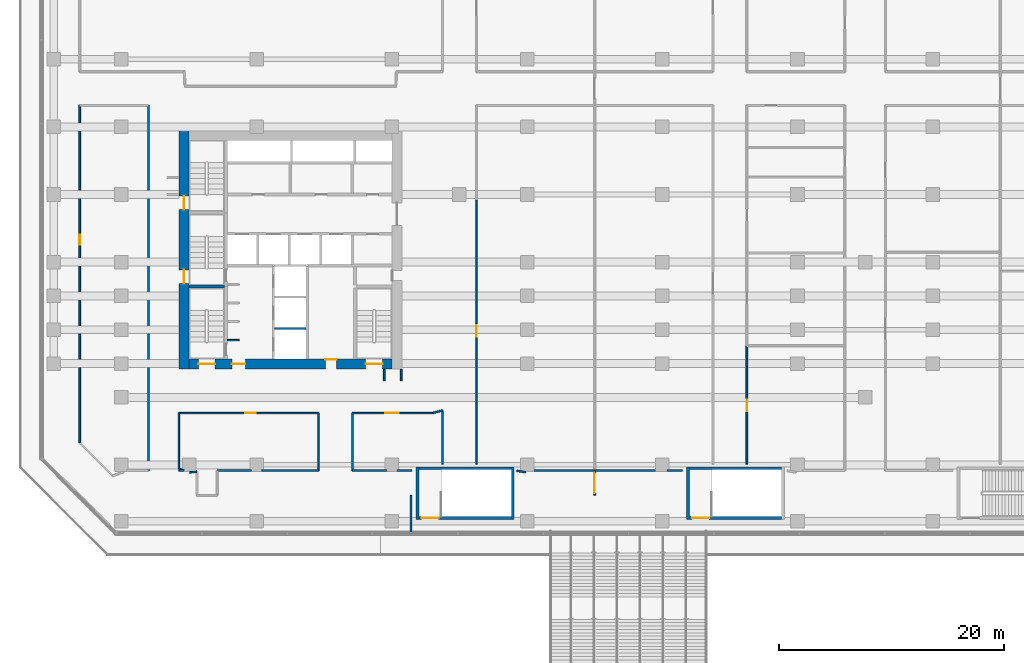
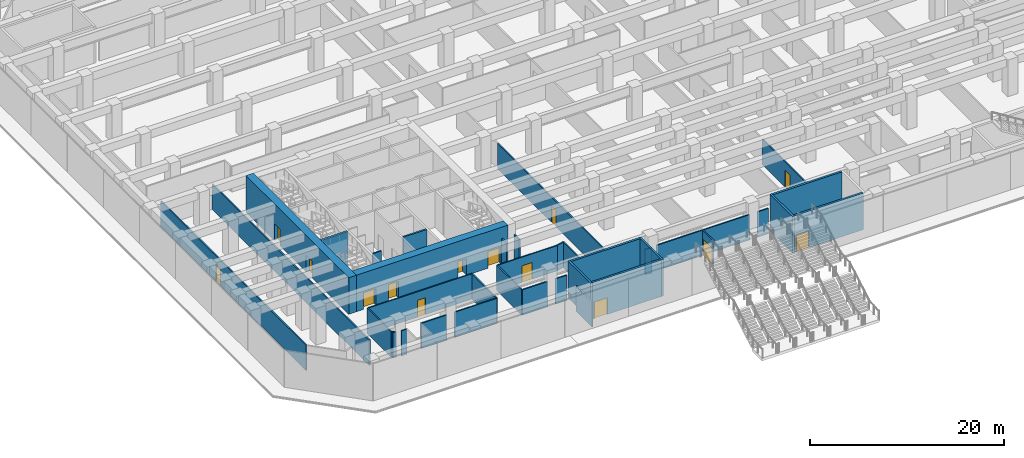
# One storey, part 27 of 40: 37 walls, 14 doors, 14 openings.
"""IFC4 building model written with IfcOpenShell, lengths in metres."""

from ifc_helpers import new_model, si_unit, direction, frame, frame_2d, origin, place, context, subcontext, project, spatial, rectangle, extrude, material, layer, layer_set, type_object, element, fill, save


model = new_model("IFC4")

# Units and contexts
model_context = context("Model", 3, precision=1e-05, world=origin(), true_north=direction((0.0, 1.0)))
body_context = subcontext(model_context, "Body", "Model", "MODEL_VIEW")
ifc_project = project(units=[si_unit("LENGTHUNIT", "METRE"), si_unit("AREAUNIT", "SQUARE_METRE"), si_unit("VOLUMEUNIT", "CUBIC_METRE"), si_unit("PLANEANGLEUNIT", "RADIAN"), si_unit("MASSUNIT", "GRAM", prefix="KILO")], contexts=[model_context])

# Site, building, storey
site_placement = place(None, origin())
site = spatial("IfcSite", under=ifc_project, at=site_placement, CompositionType="ELEMENT")
building_placement = place(site_placement, origin())
building = spatial("IfcBuilding", under=site, at=building_placement, Name="Welwitschia Terrace Campus", CompositionType="ELEMENT")
storey_placement = place(building_placement, frame((0.0, 0.0, 6.0)))
storey = spatial("IfcBuildingStorey", under=building, at=storey_placement, Name="L01", CompositionType="ELEMENT", Elevation=6.0)

# Walls
ifc_material_1 = material(Name="Concrete C50/60", Category="concrete")
ifc_layer_1 = layer(ifc_material_1, 0.14990234375)
ifc_layer_set_1 = layer_set([ifc_layer_1], Name="Concrete C50/60")
wall_type_1 = type_object("IfcWallType", Name="Core wall 150 Concrete C50/60", PredefinedType="SHEAR", material=ifc_layer_set_1)
wall_1_placement = place(storey_placement, frame((9.39990234375, 7.074951171875, 0.0), z_axis=(0.0, 0.0, 1.0), x_axis=(1.0, 0.0, 0.0)))
element("IfcWall", 1, at=wall_1_placement, inside=storey, type_object=wall_type_1, Name="Core wall", PredefinedType="SHEAR", context=body_context, shape_type="SweptSolid", body=[
    extrude(rectangle(XDim=1.050048828125, YDim=0.14990234375, at=frame_2d((0.52490234375, 0.0))), origin(), (0.0, 0.0, 1.0), 4.60009765625),
])
ifc_material_2 = material(Name="Concrete C50/60", Category="concrete")
ifc_layer_2 = layer(ifc_material_2, 0.199951171875)
ifc_layer_set_2 = layer_set([ifc_layer_2], Name="Concrete C50/60")
wall_type_2 = type_object("IfcWallType", Name="Core wall 200 Concrete C50/60", PredefinedType="SHEAR", material=ifc_layer_set_2)
wall_2_placement = place(storey_placement, frame((13.60009765625, 8.10009765625, 0.0), z_axis=(0.0, 0.0, 1.0), x_axis=(1.0, 0.0, 0.0)))
element("IfcWall", 2, at=wall_2_placement, inside=storey, type_object=wall_type_2, Name="Core wall", PredefinedType="SHEAR", context=body_context, shape_type="SweptSolid", body=[
    extrude(rectangle(XDim=2.7998046875, YDim=0.199951171875, at=frame_2d((1.39990234375, 0.0))), origin(), (0.0, 0.0, 1.0), 4.60009765625),
])
ifc_material_3 = material(Name="Concrete C50/60", Category="concrete")
ifc_layer_3 = layer(ifc_material_3, 0.25)
ifc_layer_set_3 = layer_set([ifc_layer_3], Name="Concrete C50/60")
wall_type_3 = type_object("IfcWallType", Name="Core wall 250 Concrete C50/60", PredefinedType="SHEAR", material=ifc_layer_set_3)
wall_3_placement = place(storey_placement, frame((6.0, 11.824951171875, 0.0), z_axis=(0.0, 0.0, 1.0), x_axis=(1.0, 0.0, 0.0)))
element("IfcWall", 3, at=wall_3_placement, inside=storey, type_object=wall_type_3, Name="Core wall", PredefinedType="SHEAR", context=body_context, shape_type="SweptSolid", body=[
    extrude(rectangle(XDim=3.14990234375, YDim=0.25, at=frame_2d((1.574951171875, 0.0))), origin(), (0.0, 0.0, 1.0), 4.60009765625),
])
for number, where, z_axis, x_axis, name in (
    (4, (26.27490234375, -8.824951171875, 0.0), (0.0, 0.0, 1.0), (0.0, 1.0, 0.0), "Core wall"),
    (5, (34.72509765625, -8.824951171875, 0.0), (0.0, 0.0, 1.0), (0.0, 1.0, 0.0), "Core wall"),
):
    element("IfcWall", number, at=place(storey_placement, frame(where, z_axis=z_axis, x_axis=x_axis)), inside=storey, type_object=wall_type_3, Name=name, PredefinedType="SHEAR", context=body_context, shape_type="SweptSolid", body=[
        extrude(rectangle(XDim=4.64990234375, YDim=0.25, at=frame_2d((2.324951171875, 0.0))), origin(), (0.0, 0.0, 1.0), 4.60009765625),
    ])

# Wall, opening, door
wall_4_placement = place(storey_placement, frame((34.60009765625, -8.699951171875, 0.0), z_axis=(0.0, 0.0, 1.0), x_axis=(-1.0, 0.0, 0.0)))
wall_4 = element("IfcWall", 6, at=wall_4_placement, inside=storey, type_object=wall_type_3, Name="Core wall", PredefinedType="SHEAR", context=body_context, shape_type="SweptSolid", body=[
    extrude(rectangle(XDim=8.2001953125, YDim=0.25, at=frame_2d((4.10009765625, 0.0))), origin(), (0.0, 0.0, 1.0), 4.60009765625),
])
opening_1_placement = place(wall_4_placement, frame((6.449951171875, 0.0, 0.0)))
opening_1 = element("IfcOpeningElement", 7, at=opening_1_placement, cuts=wall_4, Name="Opening DS15", PredefinedType="OPENING", context=body_context, shape_type="SweptSolid", body=[
    extrude(rectangle(XDim=1.5, YDim=2.10009765625, at=frame_2d((0.75, 1.050048828125))), frame((0.0, 0.135009765625, 0.0), z_axis=(0.0, -1.0, 0.0), x_axis=(1.0, 0.0, 0.0)), (0.0, 0.0, 1.0), 0.27001953125),
])
ifc_material_4 = material(Name="Steel S275", Category="steel")
door_type_1 = type_object("IfcDoorType", Name="Core door DS15", OperationType="DOUBLE_DOOR_SINGLE_SWING", PredefinedType="DOOR", material=ifc_material_4)
door_1_placement = place(opening_1_placement, origin())
door_1 = element("IfcDoor", 8, at=door_1_placement, inside=storey, type_object=door_type_1, Name="Door P1", OperationType="DOUBLE_DOOR_SINGLE_SWING", OverallHeight=2.10009765625, OverallWidth=1.5, PredefinedType="DOOR", context=body_context, shape_type="SweptSolid", body=[
    extrude(rectangle(XDim=1.5, YDim=2.10009765625, at=frame_2d((0.75, 1.050048828125))), frame((0.0, 0.02490234375, 0.0), z_axis=(0.0, -1.0, 0.0), x_axis=(1.0, 0.0, 0.0)), (0.0, 0.0, 1.0), 0.050048828125),
])
fill(opening_1, door_1)

# Walls
wall_5_placement = place(storey_placement, frame((26.39990234375, -4.300048828125, 0.0), z_axis=(0.0, 0.0, 1.0), x_axis=(1.0, 0.0, 0.0)))
element("IfcWall", 9, at=wall_5_placement, inside=storey, type_object=wall_type_3, Name="Core wall", PredefinedType="SHEAR", context=body_context, shape_type="SweptSolid", body=[
    extrude(rectangle(XDim=8.2001953125, YDim=0.25, at=frame_2d((4.10009765625, 0.0))), origin(), (0.0, 0.0, 1.0), 4.60009765625),
])
wall_6_placement = place(storey_placement, frame((50.27490234375, -8.824951171875, 0.0), z_axis=(0.0, 0.0, 1.0), x_axis=(0.0, 1.0, 0.0)))
element("IfcWall", 10, at=wall_6_placement, inside=storey, type_object=wall_type_3, Name="Core wall", PredefinedType="SHEAR", context=body_context, shape_type="SweptSolid", body=[
    extrude(rectangle(XDim=4.64990234375, YDim=0.25, at=frame_2d((2.324951171875, 0.0))), origin(), (0.0, 0.0, 1.0), 4.60009765625),
])

# Wall, opening, door
wall_7_placement = place(storey_placement, frame((58.60009765625, -8.699951171875, 0.0), z_axis=(0.0, 0.0, 1.0), x_axis=(-1.0, 0.0, 0.0)))
wall_7 = element("IfcWall", 11, at=wall_7_placement, inside=storey, type_object=wall_type_3, Name="Core wall", PredefinedType="SHEAR", context=body_context, shape_type="SweptSolid", body=[
    extrude(rectangle(XDim=8.2001953125, YDim=0.25, at=frame_2d((4.10009765625, 0.0))), origin(), (0.0, 0.0, 1.0), 4.60009765625),
])
opening_2_placement = place(wall_7_placement, frame((6.449951171875, 0.0, 0.0)))
opening_2 = element("IfcOpeningElement", 12, at=opening_2_placement, cuts=wall_7, Name="Opening DS15", PredefinedType="OPENING", context=body_context, shape_type="SweptSolid", body=[
    extrude(rectangle(XDim=1.5, YDim=2.10009765625, at=frame_2d((0.75, 1.050048828125))), frame((0.0, 0.135009765625, 0.0), z_axis=(0.0, -1.0, 0.0), x_axis=(1.0, 0.0, 0.0)), (0.0, 0.0, 1.0), 0.27001953125),
])
door_2_placement = place(opening_2_placement, origin())
door_2 = element("IfcDoor", 13, at=door_2_placement, inside=storey, type_object=door_type_1, Name="Door P2", OperationType="DOUBLE_DOOR_SINGLE_SWING", OverallHeight=2.10009765625, OverallWidth=1.5, PredefinedType="DOOR", context=body_context, shape_type="SweptSolid", body=[
    extrude(rectangle(XDim=1.5, YDim=2.10009765625, at=frame_2d((0.75, 1.050048828125))), frame((0.0, 0.02490234375, 0.0), z_axis=(0.0, -1.0, 0.0), x_axis=(1.0, 0.0, 0.0)), (0.0, 0.0, 1.0), 0.050048828125),
])
fill(opening_2, door_2)

# Wall
wall_8_placement = place(storey_placement, frame((50.39990234375, -4.300048828125, 0.0), z_axis=(0.0, 0.0, 1.0), x_axis=(1.0, 0.0, 0.0)))
element("IfcWall", 14, at=wall_8_placement, inside=storey, type_object=wall_type_3, Name="Core wall", PredefinedType="SHEAR", context=body_context, shape_type="SweptSolid", body=[
    extrude(rectangle(XDim=8.2001953125, YDim=0.25, at=frame_2d((4.10009765625, 0.0))), origin(), (0.0, 0.0, 1.0), 4.60009765625),
])

# Wall, openings, doors
ifc_material_5 = material(Name="Concrete C70/85", Category="concrete")
ifc_layer_4 = layer(ifc_material_5, 0.89990234375)
ifc_layer_set_4 = layer_set([ifc_layer_4], Name="Concrete C70/85")
wall_type_4 = type_object("IfcWallType", Name="Core wall 900 Concrete C70/85", PredefinedType="SHEAR", material=ifc_layer_set_4)
wall_9_placement = place(storey_placement, frame((5.550048828125, 4.5, 0.0), z_axis=(0.0, 0.0, 1.0), x_axis=(0.0, 1.0, 0.0)))
wall_9 = element("IfcWall", 15, at=wall_9_placement, inside=storey, type_object=wall_type_4, Name="Core outer wall", PredefinedType="SHEAR", context=body_context, shape_type="SweptSolid", body=[
    extrude(rectangle(XDim=21.199951171875, YDim=0.89990234375, at=frame_2d((10.60009765625, 0.0))), origin(), (0.0, 0.0, 1.0), 4.60009765625),
])
opening_3_placement = place(wall_9_placement, frame((7.60009765625, 0.0, 0.0)))
opening_3 = element("IfcOpeningElement", 16, at=opening_3_placement, cuts=wall_9, Name="Opening DS12", PredefinedType="OPENING", context=body_context, shape_type="SweptSolid", body=[
    extrude(rectangle(XDim=1.199951171875, YDim=2.10009765625, at=frame_2d((0.60009765625, 1.050048828125))), frame((0.0, 0.4599609375, 0.0), z_axis=(0.0, -1.0, 0.0), x_axis=(1.0, 0.0, 0.0)), (0.0, 0.0, 1.0), 0.919921875),
])
opening_4_placement = place(wall_9_placement, frame((14.14990234375, 0.0, 0.0)))
opening_4 = element("IfcOpeningElement", 17, at=opening_4_placement, cuts=wall_9, Name="Opening DS12", PredefinedType="OPENING", context=body_context, shape_type="SweptSolid", body=[
    extrude(rectangle(XDim=1.199951171875, YDim=2.10009765625, at=frame_2d((0.60009765625, 1.050048828125))), frame((0.0, 0.4599609375, 0.0), z_axis=(0.0, -1.0, 0.0), x_axis=(1.0, 0.0, 0.0)), (0.0, 0.0, 1.0), 0.919921875),
])
ifc_material_6 = material(Name="Steel S275", Category="steel")
door_type_2 = type_object("IfcDoorType", Name="Core door DS12", OperationType="SINGLE_SWING_LEFT", PredefinedType="DOOR", material=ifc_material_6)
door_3_placement = place(opening_3_placement, origin())
door_3 = element("IfcDoor", 18, at=door_3_placement, inside=storey, type_object=door_type_2, Name="Door S3-out", OperationType="SINGLE_SWING_LEFT", OverallHeight=2.10009765625, OverallWidth=1.199951171875, PredefinedType="DOOR", context=body_context, shape_type="SweptSolid", body=[
    extrude(rectangle(XDim=1.199951171875, YDim=2.10009765625, at=frame_2d((0.60009765625, 1.050048828125))), frame((0.0, 0.02490234375, 0.0), z_axis=(0.0, -1.0, 0.0), x_axis=(1.0, 0.0, 0.0)), (0.0, 0.0, 1.0), 0.050048828125),
])
fill(opening_3, door_3)
door_4_placement = place(opening_4_placement, origin())
door_4 = element("IfcDoor", 19, at=door_4_placement, inside=storey, type_object=door_type_2, Name="Door S4-out", OperationType="SINGLE_SWING_RIGHT", OverallHeight=2.10009765625, OverallWidth=1.199951171875, PredefinedType="DOOR", context=body_context, shape_type="SweptSolid", body=[
    extrude(rectangle(XDim=1.199951171875, YDim=2.10009765625, at=frame_2d((0.60009765625, 1.050048828125))), frame((0.0, 0.02490234375, 0.0), z_axis=(0.0, -1.0, 0.0), x_axis=(1.0, 0.0, 0.0)), (0.0, 0.0, 1.0), 0.050048828125),
])
fill(opening_4, door_4)

wall_10_placement = place(storey_placement, frame((24.0, 4.949951171875, 0.0), z_axis=(0.0, 0.0, 1.0), x_axis=(-1.0, 0.0, 0.0)))
wall_10 = element("IfcWall", 20, at=wall_10_placement, inside=storey, type_object=wall_type_4, Name="Core outer wall", PredefinedType="SHEAR", context=body_context, shape_type="SweptSolid", body=[
    extrude(rectangle(XDim=18.0, YDim=0.89990234375, at=frame_2d((9.0, 0.0))), origin(), (0.0, 0.0, 1.0), 4.60009765625),
])
opening_5_placement = place(wall_10_placement, frame((15.675048828125, 0.0, 0.0)))
opening_5 = element("IfcOpeningElement", 21, at=opening_5_placement, cuts=wall_10, Name="Opening DS15", PredefinedType="OPENING", context=body_context, shape_type="SweptSolid", body=[
    extrude(rectangle(XDim=1.5, YDim=2.10009765625, at=frame_2d((0.75, 1.050048828125))), frame((0.0, 0.4599609375, 0.0), z_axis=(0.0, -1.0, 0.0), x_axis=(1.0, 0.0, 0.0)), (0.0, 0.0, 1.0), 0.919921875),
])
opening_6_placement = place(wall_10_placement, frame((0.824951171875, 0.0, 0.0)))
opening_6 = element("IfcOpeningElement", 22, at=opening_6_placement, cuts=wall_10, Name="Opening DS15", PredefinedType="OPENING", context=body_context, shape_type="SweptSolid", body=[
    extrude(rectangle(XDim=1.5, YDim=2.10009765625, at=frame_2d((0.75, 1.050048828125))), frame((0.0, 0.4599609375, 0.0), z_axis=(0.0, -1.0, 0.0), x_axis=(1.0, 0.0, 0.0)), (0.0, 0.0, 1.0), 0.919921875),
])
opening_7_placement = place(wall_10_placement, frame((13.0, 0.0, 0.0)))
opening_7 = element("IfcOpeningElement", 23, at=opening_7_placement, cuts=wall_10, Name="Opening DF12", PredefinedType="OPENING", context=body_context, shape_type="SweptSolid", body=[
    extrude(rectangle(XDim=1.199951171875, YDim=2.10009765625, at=frame_2d((0.60009765625, 1.050048828125))), frame((0.0, 0.4599609375, 0.0), z_axis=(0.0, -1.0, 0.0), x_axis=(1.0, 0.0, 0.0)), (0.0, 0.0, 1.0), 0.919921875),
])
opening_8_placement = place(wall_10_placement, frame((4.89990234375, 0.0, 0.0)))
opening_8 = element("IfcOpeningElement", 24, at=opening_8_placement, cuts=wall_10, Name="Opening DR10", PredefinedType="OPENING", context=body_context, shape_type="SweptSolid", body=[
    extrude(rectangle(XDim=1.0, YDim=2.10009765625, at=frame_2d((0.5, 1.050048828125))), frame((0.0, 0.4599609375, 0.0), z_axis=(0.0, -1.0, 0.0), x_axis=(1.0, 0.0, 0.0)), (0.0, 0.0, 1.0), 0.919921875),
])
ifc_material_7 = material(Name="Steel S275", Category="steel")
door_type_3 = type_object("IfcDoorType", Name="Core door DF12", OperationType="SINGLE_SWING_LEFT", PredefinedType="DOOR", material=ifc_material_7)
door_5_placement = place(opening_7_placement, origin())
door_5 = element("IfcDoor", 25, at=door_5_placement, inside=storey, type_object=door_type_3, Name="Door FL-out", OperationType="SINGLE_SWING_RIGHT", OverallHeight=2.10009765625, OverallWidth=1.199951171875, PredefinedType="DOOR", context=body_context, shape_type="SweptSolid", body=[
    extrude(rectangle(XDim=1.199951171875, YDim=2.10009765625, at=frame_2d((0.60009765625, 1.050048828125))), frame((0.0, 0.02490234375, 0.0), z_axis=(0.0, -1.0, 0.0), x_axis=(1.0, 0.0, 0.0)), (0.0, 0.0, 1.0), 0.050048828125),
])
fill(opening_7, door_5)
ifc_material_8 = material(Name="Steel S275", Category="steel")
door_type_4 = type_object("IfcDoorType", Name="Core door DR10", OperationType="SINGLE_SWING_LEFT", PredefinedType="DOOR", material=ifc_material_8)
door_6_placement = place(opening_8_placement, origin())
door_6 = element("IfcDoor", 26, at=door_6_placement, inside=storey, type_object=door_type_4, Name="Door F1-out", OperationType="SINGLE_SWING_LEFT", OverallHeight=2.10009765625, OverallWidth=1.0, PredefinedType="DOOR", context=body_context, shape_type="SweptSolid", body=[
    extrude(rectangle(XDim=1.0, YDim=2.10009765625, at=frame_2d((0.5, 1.050048828125))), frame((0.0, -0.39013671875, 0.0), z_axis=(0.0, -1.0, 0.0), x_axis=(1.0, 0.0, 0.0)), (0.0, 0.0, 1.0), 0.050048828125),
])
fill(opening_8, door_6)
door_7_placement = place(opening_5_placement, origin())
door_7 = element("IfcDoor", 27, at=door_7_placement, inside=storey, type_object=door_type_1, Name="Door S1-out", OperationType="DOUBLE_DOOR_SINGLE_SWING", OverallHeight=2.10009765625, OverallWidth=1.5, PredefinedType="DOOR", context=body_context, shape_type="SweptSolid", body=[
    extrude(rectangle(XDim=1.5, YDim=2.10009765625, at=frame_2d((0.75, 1.050048828125))), frame((0.0, 0.02490234375, 0.0), z_axis=(0.0, -1.0, 0.0), x_axis=(1.0, 0.0, 0.0)), (0.0, 0.0, 1.0), 0.050048828125),
])
fill(opening_5, door_7)
door_8_placement = place(opening_6_placement, origin())
door_8 = element("IfcDoor", 28, at=door_8_placement, inside=storey, type_object=door_type_1, Name="Door S2-out", OperationType="DOUBLE_DOOR_SINGLE_SWING", OverallHeight=2.10009765625, OverallWidth=1.5, PredefinedType="DOOR", context=body_context, shape_type="SweptSolid", body=[
    extrude(rectangle(XDim=1.5, YDim=2.10009765625, at=frame_2d((0.75, 1.050048828125))), frame((0.0, 0.02490234375, 0.0), z_axis=(0.0, -1.0, 0.0), x_axis=(1.0, 0.0, 0.0)), (0.0, 0.0, 1.0), 0.050048828125),
])
fill(opening_6, door_8)

# Wall, opening, door
ifc_material_9 = material(Name="Gypsum board on steel studs", Category="steel")
ifc_layer_5 = layer(ifc_material_9, 0.14990234375)
ifc_layer_set_5 = layer_set([ifc_layer_5], Name="Gypsum board on steel studs")
wall_type_5 = type_object("IfcWallType", Name="Corridor partition 150 EI 30", PredefinedType="PARTITIONING", material=ifc_layer_set_5)
wall_11_placement = place(storey_placement, frame((-3.699951171875, 27.89990234375, 0.0), z_axis=(0.0, 0.0, 1.0), x_axis=(0.0, -1.0, 0.0)))
wall_11 = element("IfcWall", 29, at=wall_11_placement, inside=storey, type_object=wall_type_5, Name="Partition", PredefinedType="PARTITIONING", context=body_context, shape_type="SweptSolid", body=[
    extrude(rectangle(XDim=29.949951171875, YDim=0.14990234375, at=frame_2d((14.97509765625, 0.0))), origin(), (0.0, 0.0, 1.0), 3.179931640625),
])
opening_9_placement = place(wall_11_placement, frame((11.449951171875, 0.0, 0.0)))
opening_9 = element("IfcOpeningElement", 30, at=opening_9_placement, cuts=wall_11, Name="Opening DI09", PredefinedType="OPENING", context=body_context, shape_type="SweptSolid", body=[
    extrude(rectangle(XDim=0.89990234375, YDim=2.10009765625, at=frame_2d((0.449951171875, 1.050048828125))), frame((0.0, 0.0849609375, 0.0), z_axis=(0.0, -1.0, 0.0), x_axis=(1.0, 0.0, 0.0)), (0.0, 0.0, 1.0), 0.169921875),
])
ifc_material_10 = material(Name="Timber veneered door", Category="wood")
door_type_5 = type_object("IfcDoorType", Name="Interior door DI09", OperationType="NOTDEFINED", PredefinedType="DOOR", material=ifc_material_10)
door_9_placement = place(opening_9_placement, origin())
door_9 = element("IfcDoor", 31, at=door_9_placement, inside=storey, type_object=door_type_5, Name="Door L01 058", OperationType="SINGLE_SWING_LEFT", OverallHeight=2.10009765625, OverallWidth=0.89990234375, PredefinedType="DOOR", context=body_context, shape_type="SweptSolid", body=[
    extrude(rectangle(XDim=0.89990234375, YDim=2.10009765625, at=frame_2d((0.449951171875, 1.050048828125))), frame((0.0, 0.02490234375, 0.0), z_axis=(0.0, -1.0, 0.0), x_axis=(1.0, 0.0, 0.0)), (0.0, 0.0, 1.0), 0.050048828125),
])
fill(opening_9, door_9)

# Walls
wall_12_placement = place(storey_placement, frame((2.39990234375, -4.5, 0.0), z_axis=(0.0, 0.0, 1.0), x_axis=(0.0, 1.0, 0.0)))
element("IfcWall", 32, at=wall_12_placement, inside=storey, type_object=wall_type_5, Name="Partition", PredefinedType="PARTITIONING", context=body_context, shape_type="SweptSolid", body=[
    extrude(rectangle(XDim=32.39990234375, YDim=0.14990234375, at=frame_2d((16.199951171875, 0.0))), origin(), (0.0, 0.0, 1.0), 3.179931640625),
])
wall_13_placement = place(storey_placement, frame((5.10009765625, -4.5, 0.0), z_axis=(0.0, 0.0, 1.0), x_axis=(1.0, 0.0, 0.0)))
element("IfcWall", 33, at=wall_13_placement, inside=storey, type_object=wall_type_5, Name="Partition", PredefinedType="PARTITIONING", context=body_context, shape_type="SweptSolid", body=[
    extrude(rectangle(XDim=0.43994140625, YDim=0.14990234375, at=frame_2d((0.219970703125, 0.0))), origin(), (0.0, 0.0, 1.0), 3.179931640625),
])
wall_14_placement = place(storey_placement, frame((5.10009765625, -4.320068359375, 0.0), z_axis=(0.0, 0.0, 1.0), x_axis=(0.0, 1.0, 0.0)))
element("IfcWall", 34, at=wall_14_placement, inside=storey, type_object=wall_type_5, Name="Partition", PredefinedType="PARTITIONING", context=body_context, shape_type="SweptSolid", body=[
    extrude(rectangle(XDim=4.920166015625, YDim=0.14990234375, at=frame_2d((2.4599609375, 0.0))), origin(), (0.0, 0.0, 1.0), 3.179931640625),
])
wall_15_placement = place(storey_placement, frame((5.10009765625, -4.320068359375, 0.0), z_axis=(0.0, 0.0, 1.0), x_axis=(0.925579680267, -0.378552843705, 0.0)))
element("IfcWall", 35, at=wall_15_placement, inside=storey, type_object=wall_type_5, Name="Partition", PredefinedType="PARTITIONING", context=body_context, shape_type="SweptSolid", body=[
    extrude(rectangle(XDim=0.475341796875, YDim=0.14990234375, at=frame_2d((0.23779296875, 0.0))), origin(), (0.0, 0.0, 1.0), 3.179931640625),
])
wall_16_placement = place(storey_placement, frame((6.06005859375, -4.64990234375, 0.0), z_axis=(0.0, 0.0, 1.0), x_axis=(0.998071793058, 0.062070088618, 0.0)))
element("IfcWall", 36, at=wall_16_placement, inside=storey, type_object=wall_type_5, Name="Partition", PredefinedType="PARTITIONING", context=body_context, shape_type="SweptSolid", body=[
    extrude(rectangle(XDim=0.64111328125, YDim=0.14990234375, at=frame_2d((0.320556640625, 0.0))), origin(), (0.0, 0.0, 1.0), 3.179931640625),
])
wall_17_placement = place(storey_placement, frame((8.5, -4.5, 0.0), z_axis=(0.0, 0.0, 1.0), x_axis=(1.0, 0.0, 0.0)))
element("IfcWall", 37, at=wall_17_placement, inside=storey, type_object=wall_type_5, Name="Partition", PredefinedType="PARTITIONING", context=body_context, shape_type="SweptSolid", body=[
    extrude(rectangle(XDim=3.0400390625, YDim=0.14990234375, at=frame_2d((1.52001953125, 0.0))), origin(), (0.0, 0.0, 1.0), 3.179931640625),
])
wall_18_placement = place(storey_placement, frame((12.4599609375, -4.5, 0.0), z_axis=(0.0, 0.0, 1.0), x_axis=(1.0, 0.0, 0.0)))
element("IfcWall", 38, at=wall_18_placement, inside=storey, type_object=wall_type_5, Name="Partition", PredefinedType="PARTITIONING", context=body_context, shape_type="SweptSolid", body=[
    extrude(rectangle(XDim=5.0400390625, YDim=0.14990234375, at=frame_2d((2.52001953125, 0.0))), origin(), (0.0, 0.0, 1.0), 3.179931640625),
])
wall_19_placement = place(storey_placement, frame((17.5, -4.5, 0.0), z_axis=(0.0, 0.0, 1.0), x_axis=(0.0, 1.0, 0.0)))
element("IfcWall", 39, at=wall_19_placement, inside=storey, type_object=wall_type_5, Name="Partition", PredefinedType="PARTITIONING", context=body_context, shape_type="SweptSolid", body=[
    extrude(rectangle(XDim=5.10009765625, YDim=0.14990234375, at=frame_2d((2.550048828125, 0.0))), origin(), (0.0, 0.0, 1.0), 3.179931640625),
])

# Wall, opening, door
wall_20_placement = place(storey_placement, frame((17.5, 0.60009765625, 0.0), z_axis=(0.0, 0.0, 1.0), x_axis=(-1.0, 0.0, 0.0)))
wall_20 = element("IfcWall", 40, at=wall_20_placement, inside=storey, type_object=wall_type_5, Name="Partition", PredefinedType="PARTITIONING", context=body_context, shape_type="SweptSolid", body=[
    extrude(rectangle(XDim=12.39990234375, YDim=0.14990234375, at=frame_2d((6.199951171875, 0.0))), origin(), (0.0, 0.0, 1.0), 3.179931640625),
])
opening_10_placement = place(wall_20_placement, frame((5.60009765625, 0.0, 0.0)))
opening_10 = element("IfcOpeningElement", 41, at=opening_10_placement, cuts=wall_20, Name="Opening DI09", PredefinedType="OPENING", context=body_context, shape_type="SweptSolid", body=[
    extrude(rectangle(XDim=0.89990234375, YDim=2.10009765625, at=frame_2d((0.449951171875, 1.050048828125))), frame((0.0, 0.0849609375, 0.0), z_axis=(0.0, -1.0, 0.0), x_axis=(1.0, 0.0, 0.0)), (0.0, 0.0, 1.0), 0.169921875),
])
door_10_placement = place(opening_10_placement, origin())
door_10 = element("IfcDoor", 42, at=door_10_placement, inside=storey, type_object=door_type_5, Name="Door L01 060", OperationType="SINGLE_SWING_LEFT", OverallHeight=2.10009765625, OverallWidth=0.89990234375, PredefinedType="DOOR", context=body_context, shape_type="SweptSolid", body=[
    extrude(rectangle(XDim=0.89990234375, YDim=2.10009765625, at=frame_2d((0.449951171875, 1.050048828125))), frame((0.0, 0.02490234375, 0.0), z_axis=(0.0, -1.0, 0.0), x_axis=(1.0, 0.0, 0.0)), (0.0, 0.0, 1.0), 0.050048828125),
])
fill(opening_10, door_10)

# Walls
wall_21_placement = place(storey_placement, frame((20.5, -4.5, 0.0), z_axis=(0.0, 0.0, 1.0), x_axis=(0.0, 1.0, 0.0)))
element("IfcWall", 43, at=wall_21_placement, inside=storey, type_object=wall_type_5, Name="Partition", PredefinedType="PARTITIONING", context=body_context, shape_type="SweptSolid", body=[
    extrude(rectangle(XDim=5.10009765625, YDim=0.14990234375, at=frame_2d((2.550048828125, 0.0))), origin(), (0.0, 0.0, 1.0), 3.179931640625),
])
wall_22_placement = place(storey_placement, frame((20.5, -4.5, 0.0), z_axis=(0.0, 0.0, 1.0), x_axis=(1.0, 0.0, 0.0)))
element("IfcWall", 44, at=wall_22_placement, inside=storey, type_object=wall_type_5, Name="Partition", PredefinedType="PARTITIONING", context=body_context, shape_type="SweptSolid", body=[
    extrude(rectangle(XDim=3.0400390625, YDim=0.14990234375, at=frame_2d((1.52001953125, 0.0))), origin(), (0.0, 0.0, 1.0), 3.179931640625),
])
wall_23_placement = place(storey_placement, frame((23.320068359375, 3.449951171875, 0.0), z_axis=(0.0, 0.0, 1.0), x_axis=(0.0, 1.0, 0.0)))
element("IfcWall", 45, at=wall_23_placement, inside=storey, type_object=wall_type_5, Name="Partition", PredefinedType="PARTITIONING", context=body_context, shape_type="SweptSolid", body=[
    extrude(rectangle(XDim=1.050048828125, YDim=0.14990234375, at=frame_2d((0.52490234375, 0.0))), origin(), (0.0, 0.0, 1.0), 3.179931640625),
])
wall_24_placement = place(storey_placement, frame((24.4599609375, -4.5, 0.0), z_axis=(0.0, 0.0, 1.0), x_axis=(1.0, 0.0, 0.0)))
element("IfcWall", 46, at=wall_24_placement, inside=storey, type_object=wall_type_5, Name="Partition", PredefinedType="PARTITIONING", context=body_context, shape_type="SweptSolid", body=[
    extrude(rectangle(XDim=1.320068359375, YDim=0.14990234375, at=frame_2d((0.66015625, 0.0))), origin(), (0.0, 0.0, 1.0), 3.179931640625),
])
wall_25_placement = place(storey_placement, frame((24.830078125, 3.449951171875, 0.0), z_axis=(0.0, 0.0, 1.0), x_axis=(0.0, 1.0, 0.0)))
element("IfcWall", 47, at=wall_25_placement, inside=storey, type_object=wall_type_5, Name="Partition", PredefinedType="PARTITIONING", context=body_context, shape_type="SweptSolid", body=[
    extrude(rectangle(XDim=1.050048828125, YDim=0.14990234375, at=frame_2d((0.52490234375, 0.0))), origin(), (0.0, 0.0, 1.0), 3.179931640625),
])
wall_26_placement = place(storey_placement, frame((25.699951171875, -10.030029296875, 0.0), z_axis=(0.0, 0.0, 1.0), x_axis=(0.0, 1.0, 0.0)))
element("IfcWall", 48, at=wall_26_placement, inside=storey, type_object=wall_type_5, Name="Partition", PredefinedType="PARTITIONING", context=body_context, shape_type="SweptSolid", body=[
    extrude(rectangle(XDim=3.330078125, YDim=0.14990234375, at=frame_2d((1.6650390625, 0.0))), origin(), (0.0, 0.0, 1.0), 3.179931640625),
])

# Wall, opening, door
wall_27_placement = place(storey_placement, frame((27.60009765625, 0.60009765625, 0.0), z_axis=(0.0, 0.0, 1.0), x_axis=(-1.0, 0.0, 0.0)))
wall_27 = element("IfcWall", 49, at=wall_27_placement, inside=storey, type_object=wall_type_5, Name="Partition", PredefinedType="PARTITIONING", context=body_context, shape_type="SweptSolid", body=[
    extrude(rectangle(XDim=7.10009765625, YDim=0.14990234375, at=frame_2d((3.550048828125, 0.0))), origin(), (0.0, 0.0, 1.0), 3.179931640625),
])
opening_11_placement = place(wall_27_placement, frame((3.0, 0.0, 0.0)))
opening_11 = element("IfcOpeningElement", 50, at=opening_11_placement, cuts=wall_27, Name="Opening DX12", PredefinedType="OPENING", context=body_context, shape_type="SweptSolid", body=[
    extrude(rectangle(XDim=1.199951171875, YDim=2.10009765625, at=frame_2d((0.60009765625, 1.050048828125))), frame((0.0, 0.0849609375, 0.0), z_axis=(0.0, -1.0, 0.0), x_axis=(1.0, 0.0, 0.0)), (0.0, 0.0, 1.0), 0.169921875),
])
ifc_material_11 = material(Name="Timber veneered door", Category="wood")
door_type_6 = type_object("IfcDoorType", Name="Interior door DX12", OperationType="NOTDEFINED", PredefinedType="DOOR", material=ifc_material_11)
door_11_placement = place(opening_11_placement, origin())
door_11 = element("IfcDoor", 51, at=door_11_placement, inside=storey, type_object=door_type_6, Name="Door L01 061", OperationType="SINGLE_SWING_RIGHT", OverallHeight=2.10009765625, OverallWidth=1.199951171875, PredefinedType="DOOR", context=body_context, shape_type="SweptSolid", body=[
    extrude(rectangle(XDim=1.199951171875, YDim=2.10009765625, at=frame_2d((0.60009765625, 1.050048828125))), frame((0.0, 0.02490234375, 0.0), z_axis=(0.0, -1.0, 0.0), x_axis=(1.0, 0.0, 0.0)), (0.0, 0.0, 1.0), 0.050048828125),
])
fill(opening_11, door_11)

# Walls
wall_28_placement = place(storey_placement, frame((27.60009765625, 0.610107421875, 0.0), z_axis=(0.0, 0.0, 1.0), x_axis=(0.971400357327, 0.237447564284, 0.0)))
element("IfcWall", 52, at=wall_28_placement, inside=storey, type_object=wall_type_5, Name="Partition", PredefinedType="PARTITIONING", context=body_context, shape_type="SweptSolid", body=[
    extrude(rectangle(XDim=0.926513671875, YDim=0.14990234375, at=frame_2d((0.46337890625, 0.0))), origin(), (0.0, 0.0, 1.0), 3.179931640625),
])
wall_29_placement = place(storey_placement, frame((28.5, -3.919921875, 0.0), z_axis=(0.0, 0.0, 1.0), x_axis=(0.0, 1.0, 0.0)))
element("IfcWall", 53, at=wall_29_placement, inside=storey, type_object=wall_type_5, Name="Partition", PredefinedType="PARTITIONING", context=body_context, shape_type="SweptSolid", body=[
    extrude(rectangle(XDim=4.739990234375, YDim=0.14990234375, at=frame_2d((2.3701171875, 0.0))), origin(), (0.0, 0.0, 1.0), 3.179931640625),
])

# Wall, opening, door
wall_30_placement = place(storey_placement, frame((31.5, 19.52001953125, 0.0), z_axis=(0.0, 0.0, 1.0), x_axis=(0.0, -1.0, 0.0)))
wall_30 = element("IfcWall", 54, at=wall_30_placement, inside=storey, type_object=wall_type_5, Name="Partition", PredefinedType="PARTITIONING", context=body_context, shape_type="SweptSolid", body=[
    extrude(rectangle(XDim=23.43994140625, YDim=0.14990234375, at=frame_2d((11.719970703125, 0.0))), origin(), (0.0, 0.0, 1.0), 3.179931640625),
])
opening_12_placement = place(wall_30_placement, frame((11.139892578125, 0.0, 0.0)))
opening_12 = element("IfcOpeningElement", 55, at=opening_12_placement, cuts=wall_30, Name="Opening DI10", PredefinedType="OPENING", context=body_context, shape_type="SweptSolid", body=[
    extrude(rectangle(XDim=1.0, YDim=2.10009765625, at=frame_2d((0.5, 1.050048828125))), frame((0.0, 0.0849609375, 0.0), z_axis=(0.0, -1.0, 0.0), x_axis=(1.0, 0.0, 0.0)), (0.0, 0.0, 1.0), 0.169921875),
])
ifc_material_12 = material(Name="Timber veneered door", Category="wood")
door_type_7 = type_object("IfcDoorType", Name="Interior door DI10", OperationType="NOTDEFINED", PredefinedType="DOOR", material=ifc_material_12)
door_12_placement = place(opening_12_placement, origin())
door_12 = element("IfcDoor", 56, at=door_12_placement, inside=storey, type_object=door_type_7, Name="Door L01 065", OperationType="SINGLE_SWING_RIGHT", OverallHeight=2.10009765625, OverallWidth=1.0, PredefinedType="DOOR", context=body_context, shape_type="SweptSolid", body=[
    extrude(rectangle(XDim=1.0, YDim=2.10009765625, at=frame_2d((0.5, 1.050048828125))), frame((0.0, 0.02490234375, 0.0), z_axis=(0.0, -1.0, 0.0), x_axis=(1.0, 0.0, 0.0)), (0.0, 0.0, 1.0), 0.050048828125),
])
fill(opening_12, door_12)

# Walls
wall_31_placement = place(storey_placement, frame((35.10009765625, -4.52001953125, 0.0), z_axis=(0.0, 0.0, 1.0), x_axis=(0.988098486873, -0.153822560892, 0.0)))
element("IfcWall", 57, at=wall_31_placement, inside=storey, type_object=wall_type_5, Name="Partition", PredefinedType="PARTITIONING", context=body_context, shape_type="SweptSolid", body=[
    extrude(rectangle(XDim=0.779296875, YDim=0.14990234375, at=frame_2d((0.3896484375, 0.0))), origin(), (0.0, 0.0, 1.0), 3.179931640625),
])
wall_32_placement = place(storey_placement, frame((36.4599609375, -4.5, 0.0), z_axis=(0.0, 0.0, 1.0), x_axis=(1.0, 0.0, 0.0)))
element("IfcWall", 58, at=wall_32_placement, inside=storey, type_object=wall_type_5, Name="Partition", PredefinedType="PARTITIONING", context=body_context, shape_type="SweptSolid", body=[
    extrude(rectangle(XDim=11.080078125, YDim=0.14990234375, at=frame_2d((5.5400390625, 0.0))), origin(), (0.0, 0.0, 1.0), 3.179931640625),
])

# Wall, opening, door
wall_33_placement = place(storey_placement, frame((42.0, -4.5, 0.0), z_axis=(0.0, 0.0, 1.0), x_axis=(0.0, -1.0, 0.0)))
wall_33 = element("IfcWall", 59, at=wall_33_placement, inside=storey, type_object=wall_type_5, Name="Partition", PredefinedType="PARTITIONING", context=body_context, shape_type="SweptSolid", body=[
    extrude(rectangle(XDim=2.199951171875, YDim=0.14990234375, at=frame_2d((1.10009765625, 0.0))), origin(), (0.0, 0.0, 1.0), 3.179931640625),
])
opening_13_placement = place(wall_33_placement, frame((0.199951171875, 0.0, 0.0)))
opening_13 = element("IfcOpeningElement", 60, at=opening_13_placement, cuts=wall_33, Name="Opening DF18", PredefinedType="OPENING", context=body_context, shape_type="SweptSolid", body=[
    extrude(rectangle(XDim=1.800048828125, YDim=2.10009765625, at=frame_2d((0.89990234375, 1.050048828125))), frame((0.0, 0.0849609375, 0.0), z_axis=(0.0, -1.0, 0.0), x_axis=(1.0, 0.0, 0.0)), (0.0, 0.0, 1.0), 0.169921875),
])
ifc_material_13 = material(Name="Timber veneered door", Category="wood")
door_type_8 = type_object("IfcDoorType", Name="Interior door DF18", OperationType="DOUBLE_DOOR_SINGLE_SWING", PredefinedType="DOOR", material=ifc_material_13)
door_13_placement = place(opening_13_placement, origin())
door_13 = element("IfcDoor", 61, at=door_13_placement, inside=storey, type_object=door_type_8, Name="Door L01 069", OperationType="SINGLE_SWING_LEFT", OverallHeight=2.10009765625, OverallWidth=1.800048828125, PredefinedType="DOOR", context=body_context, shape_type="SweptSolid", body=[
    extrude(rectangle(XDim=1.800048828125, YDim=2.10009765625, at=frame_2d((0.89990234375, 1.050048828125))), frame((0.0, 0.02490234375, 0.0), z_axis=(0.0, -1.0, 0.0), x_axis=(1.0, 0.0, 0.0)), (0.0, 0.0, 1.0), 0.050048828125),
])
fill(opening_13, door_13)

# Wall
wall_34_placement = place(storey_placement, frame((48.4599609375, -4.5, 0.0), z_axis=(0.0, 0.0, 1.0), x_axis=(1.0, 0.0, 0.0)))
element("IfcWall", 62, at=wall_34_placement, inside=storey, type_object=wall_type_5, Name="Partition", PredefinedType="PARTITIONING", context=body_context, shape_type="SweptSolid", body=[
    extrude(rectangle(XDim=1.320068359375, YDim=0.14990234375, at=frame_2d((0.66015625, 0.0))), origin(), (0.0, 0.0, 1.0), 3.179931640625),
])

# Wall, opening, door
wall_35_placement = place(storey_placement, frame((55.5, 6.570068359375, 0.0), z_axis=(0.0, 0.0, 1.0), x_axis=(0.0, -1.0, 0.0)))
wall_35 = element("IfcWall", 63, at=wall_35_placement, inside=storey, type_object=wall_type_5, Name="Partition", PredefinedType="PARTITIONING", context=body_context, shape_type="SweptSolid", body=[
    extrude(rectangle(XDim=10.489990234375, YDim=0.14990234375, at=frame_2d((5.2451171875, 0.0))), origin(), (0.0, 0.0, 1.0), 3.179931640625),
])
opening_14_placement = place(wall_35_placement, frame((4.7900390625, 0.0, 0.0)))
opening_14 = element("IfcOpeningElement", 64, at=opening_14_placement, cuts=wall_35, Name="Opening DI10", PredefinedType="OPENING", context=body_context, shape_type="SweptSolid", body=[
    extrude(rectangle(XDim=1.0, YDim=2.10009765625, at=frame_2d((0.5, 1.050048828125))), frame((0.0, 0.0849609375, 0.0), z_axis=(0.0, -1.0, 0.0), x_axis=(1.0, 0.0, 0.0)), (0.0, 0.0, 1.0), 0.169921875),
])
door_14_placement = place(opening_14_placement, origin())
door_14 = element("IfcDoor", 65, at=door_14_placement, inside=storey, type_object=door_type_7, Name="Door L01 075", OperationType="SINGLE_SWING_RIGHT", OverallHeight=2.10009765625, OverallWidth=1.0, PredefinedType="DOOR", context=body_context, shape_type="SweptSolid", body=[
    extrude(rectangle(XDim=1.0, YDim=2.10009765625, at=frame_2d((0.5, 1.050048828125))), frame((0.0, 0.02490234375, 0.0), z_axis=(0.0, -1.0, 0.0), x_axis=(1.0, 0.0, 0.0)), (0.0, 0.0, 1.0), 0.050048828125),
])
fill(opening_14, door_14)

save(model, "model.ifc")
